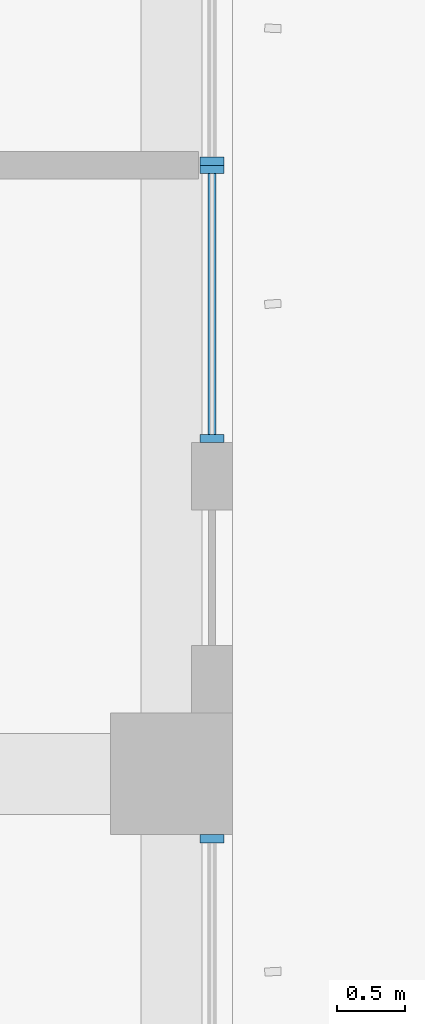
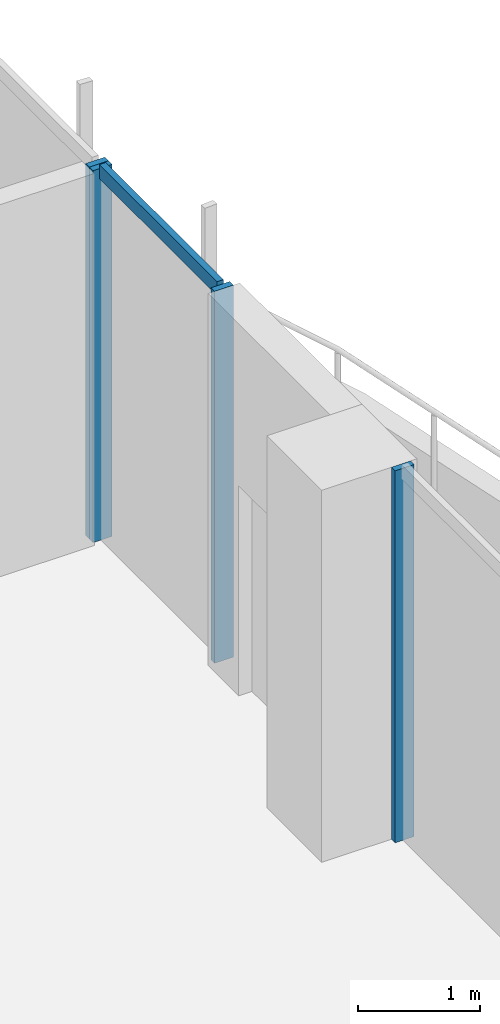
# One storey, part 7 of 26: 5 members, 3 elements without a shape of their own.
"""IFC4 building model written with IfcOpenShell, lengths in metres."""

from ifc_helpers import new_model, si_unit, direction, frame, origin, origin_2d, place, context, subcontext, project, spatial, rectangle, extrude, source, transform, mapped, material, material_profile, profile_set, type_object, element, aggregate, save


model = new_model("IFC4")

# Units and contexts
model_context = context("Model", 3, precision=1e-05, world=origin(), true_north=direction((0.0, 1.0)))
body_context = subcontext(model_context, "Body", "Model", "MODEL_VIEW")
ifc_project = project(units=[si_unit("LENGTHUNIT", "METRE"), si_unit("AREAUNIT", "SQUARE_METRE"), si_unit("VOLUMEUNIT", "CUBIC_METRE"), si_unit("PLANEANGLEUNIT", "RADIAN"), si_unit("MASSUNIT", "GRAM", prefix="KILO")], contexts=[model_context])

# Site, building, storey
site_placement = place(None, origin())
site = spatial("IfcSite", under=ifc_project, at=site_placement, CompositionType="ELEMENT")
building_placement = place(site_placement, origin())
building = spatial("IfcBuilding", under=site, at=building_placement, Name="Kilnfold Tower and Market Hall", CompositionType="ELEMENT")
storey_placement = place(building_placement, frame((0.0, 0.0, 83.199951171875)))
storey = spatial("IfcBuildingStorey", under=building, at=storey_placement, Name="L19", CompositionType="ELEMENT", Elevation=83.199951171875)

# Curtain wall, member
ifc_material_1 = material(Name="Aluminium and double glazing", Category="aluminium")
curtain_wall_type = type_object("IfcCurtainWallType", Name="CW OF1 VALLEY GLAZING", PredefinedType="NOTDEFINED", material=ifc_material_1)
curtain_wall_1_placement = place(storey_placement, origin())
curtain_wall_1 = element("IfcCurtainWall", 1, at=curtain_wall_1_placement, inside=storey, type_object=curtain_wall_type, Name="Curtain wall CW1 L19 E", PredefinedType="NOTDEFINED")
ifc_material_2 = material(Name="Aluminium", Category="aluminium")
ifc_material_profile_1 = material_profile(ifc_material_2, rectangle(XDim=0.06005859375, YDim=0.179931640625, at=origin_2d()), Name="MULLION 60x180")
ifc_profile_set_1 = profile_set([ifc_material_profile_1], Name="Aluminium")
member_type_1 = type_object("IfcMemberType", Name="MULLION 60X180", PredefinedType="MULLION", material=ifc_profile_set_1)
shared_shape_1 = source(origin(), body_context, "Body", "SweptSolid", [
    extrude(rectangle(XDim=0.06005859375, YDim=0.179931640625, at=origin_2d()), origin(), (0.0, 0.0, 1.0), 3.719970703125),
])
member_1_placement = place(storey_placement, frame((32.85009765625, -1.47998046875, 0.0), z_axis=(0.0, 0.0, 1.0), x_axis=(0.0, 1.0, 0.0)))
member_1 = element("IfcMember", 2, at=member_1_placement, type_object=member_type_1, Name="CW1 mullion 2", PredefinedType="MULLION", context=body_context, shape_type="MappedRepresentation", body=[
    mapped(shared_shape_1, transform((0.0, 0.0, 0.0))),
])
aggregate(curtain_wall_1, [member_1])

# Curtain wall, members
curtain_wall_2_placement = place(storey_placement, origin())
curtain_wall_2 = element("IfcCurtainWall", 3, at=curtain_wall_2_placement, inside=storey, type_object=curtain_wall_type, Name="Curtain wall CW1 L19 E", PredefinedType="NOTDEFINED")
member_2_placement = place(storey_placement, frame((32.85009765625, 1.47998046875, 0.0), z_axis=(0.0, 0.0, 1.0), x_axis=(0.0, 1.0, 0.0)))
member_2 = element("IfcMember", 4, at=member_2_placement, type_object=member_type_1, Name="CW1 mullion 1", PredefinedType="MULLION", context=body_context, shape_type="MappedRepresentation", body=[
    mapped(shared_shape_1, transform((0.0, 0.0, 0.0))),
])
member_3_placement = place(storey_placement, frame((32.85009765625, 3.469970703125, 0.0), z_axis=(0.0, 0.0, 1.0), x_axis=(0.0, 1.0, 0.0)))
member_3 = element("IfcMember", 5, at=member_3_placement, type_object=member_type_1, Name="CW1 mullion 2", PredefinedType="MULLION", context=body_context, shape_type="MappedRepresentation", body=[
    mapped(shared_shape_1, transform((0.0, 0.0, 0.0))),
])

# Curtain wall, member
curtain_wall_3_placement = place(storey_placement, origin())
curtain_wall_3 = element("IfcCurtainWall", 6, at=curtain_wall_3_placement, inside=storey, type_object=curtain_wall_type, Name="Curtain wall CW1 L19 E", PredefinedType="NOTDEFINED")
member_4_placement = place(storey_placement, frame((32.85009765625, 3.530029296875, 0.0), z_axis=(0.0, 0.0, 1.0), x_axis=(0.0, 1.0, 0.0)))
member_4 = element("IfcMember", 7, at=member_4_placement, type_object=member_type_1, Name="CW1 mullion 1", PredefinedType="MULLION", context=body_context, shape_type="MappedRepresentation", body=[
    mapped(shared_shape_1, transform((0.0, 0.0, 0.0))),
])
aggregate(curtain_wall_3, [member_4])

# Member
ifc_material_3 = material(Name="Aluminium", Category="aluminium")
ifc_material_profile_2 = material_profile(ifc_material_3, rectangle(XDim=0.06005859375, YDim=0.139892578125, at=origin_2d()), Name="TRANSOM 60x140")
ifc_profile_set_2 = profile_set([ifc_material_profile_2], Name="Aluminium")
member_type_2 = type_object("IfcMemberType", Name="TRANSOM 60X140", PredefinedType="USERDEFINED", material=ifc_profile_set_2)
shared_shape_2 = source(origin(), body_context, "Body", "SweptSolid", [
    extrude(rectangle(XDim=0.06005859375, YDim=0.139892578125, at=origin_2d()), origin(), (0.0, 0.0, 1.0), 1.929931640625),
])
member_5_placement = place(storey_placement, frame((32.85009765625, 1.510009765625, 3.68994140625), z_axis=(0.0, 1.0, 0.0), x_axis=(-1.0, 0.0, 0.0)))
member_5 = element("IfcMember", 8, at=member_5_placement, type_object=member_type_2, Name="CW1 transom 1.2", ObjectType="TRANSOM", PredefinedType="USERDEFINED", context=body_context, shape_type="MappedRepresentation", body=[
    mapped(shared_shape_2, transform((0.0, 0.0, 0.0))),
])

aggregate(curtain_wall_2, [member_2, member_3, member_5])

save(model, "model.ifc")
